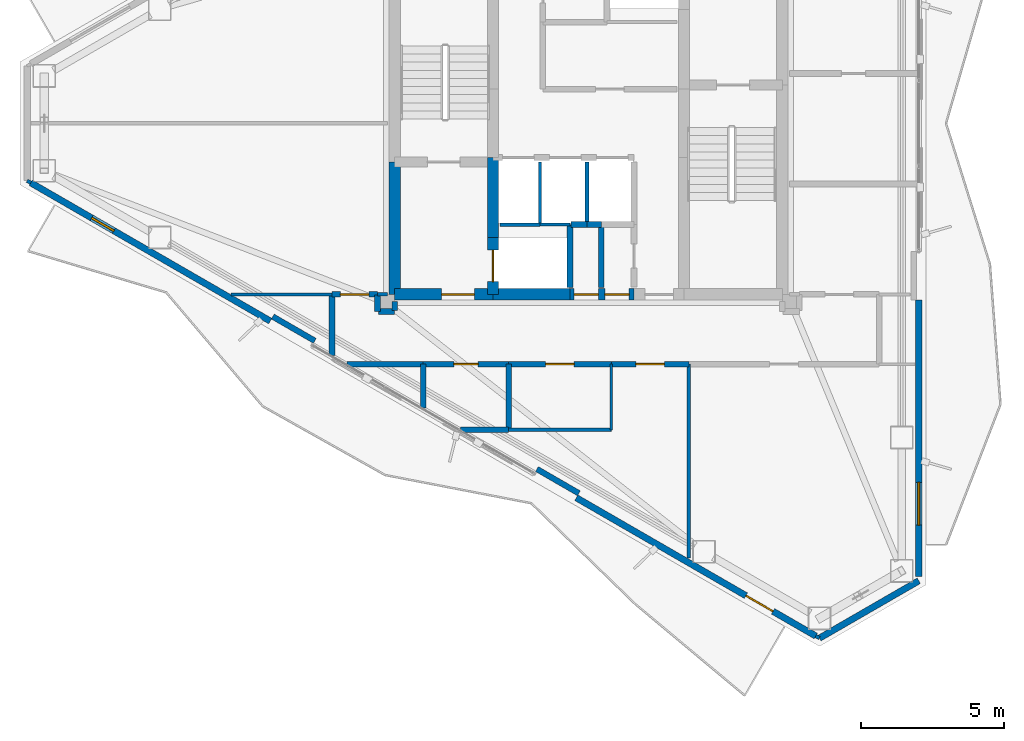
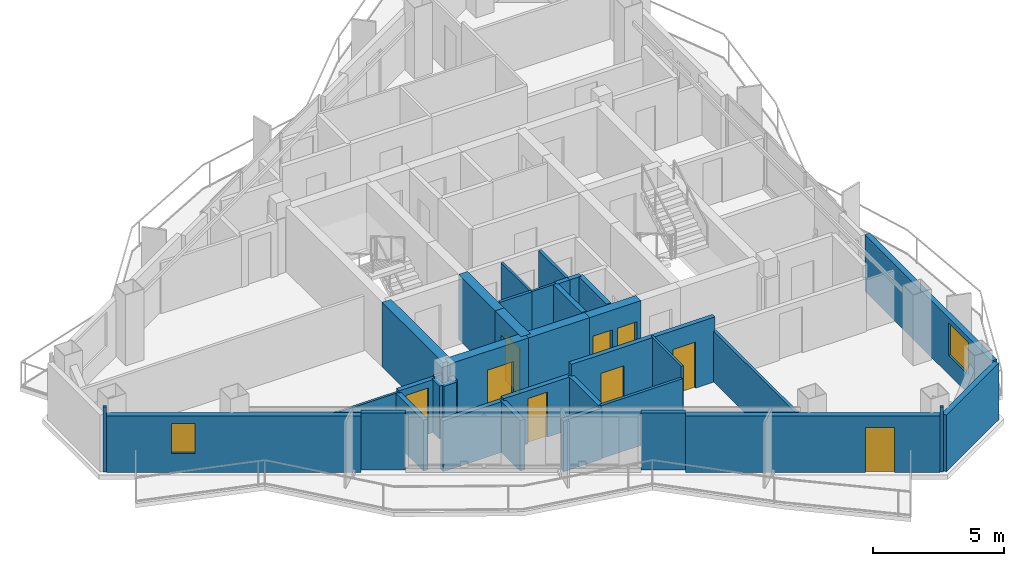
# One storey, part 16 of 21: 39 walls, 9 doors, 2 windows, 11 openings.
"""IFC4 building model written with IfcOpenShell, lengths in metres."""

from ifc_helpers import new_model, si_unit, direction, frame, frame_2d, origin, place, context, subcontext, project, spatial, rectangle, extrude, material, layer, layer_set, type_object, element, fill, save


model = new_model("IFC4")

# Units and contexts
model_context = context("Model", 3, precision=1e-05, world=origin(), true_north=direction((0.0, 1.0)))
body_context = subcontext(model_context, "Body", "Model", "MODEL_VIEW")
ifc_project = project(units=[si_unit("LENGTHUNIT", "METRE"), si_unit("AREAUNIT", "SQUARE_METRE"), si_unit("VOLUMEUNIT", "CUBIC_METRE"), si_unit("PLANEANGLEUNIT", "RADIAN"), si_unit("MASSUNIT", "GRAM", prefix="KILO")], contexts=[model_context])

# Site, building, storey
site_placement = place(None, origin())
site = spatial("IfcSite", under=ifc_project, at=site_placement, CompositionType="ELEMENT")
building_placement = place(site_placement, origin())
building = spatial("IfcBuilding", under=site, at=building_placement, Name="Mersakhor Tower and Convention Hall", CompositionType="ELEMENT")
storey_placement = place(building_placement, frame((0.0, 0.0, 215.10009765625)))
storey = spatial("IfcBuildingStorey", under=building, at=storey_placement, Name="L60", CompositionType="ELEMENT", Elevation=215.10009765625)

# Wall
ifc_material_1 = material(Name="Precast concrete C40/50", Category="concrete")
ifc_layer_1 = layer(ifc_material_1, 0.22509765625)
ifc_layer_set_1 = layer_set([ifc_layer_1], Name="Precast concrete C40/50")
wall_type_1 = type_object("IfcWallType", Name="WL-EXT-225", PredefinedType="SOLIDWALL", material=ifc_layer_set_1)
wall_1_placement = place(storey_placement, frame((40.58837890625, 10.70166015625, 0.0), z_axis=(0.0, 0.0, 1.0), x_axis=(-0.866023907196, -0.500002592159, 0.0)))
element("IfcWall", 1, at=wall_1_placement, inside=storey, type_object=wall_type_1, Name="L60 Chamfer Braced Spandrel Wall C2", PredefinedType="SOLIDWALL", context=body_context, shape_type="SweptSolid", body=[
    extrude(rectangle(XDim=4.0234375, YDim=0.22509765625, at=frame_2d((2.01171875, 0.0))), origin(), (0.0, 0.0, 1.0), 2.639892578125),
])

# Wall, opening, window
wall_2_placement = place(storey_placement, frame((40.58837890625, 20.550537109375, 0.0), z_axis=(0.0, 0.0, 1.0), x_axis=(0.0, -1.0, 0.0)))
wall_2 = element("IfcWall", 2, at=wall_2_placement, inside=storey, type_object=wall_type_1, Name="L60 Exterior Facade Wall F2-B3", PredefinedType="SOLIDWALL", context=body_context, shape_type="SweptSolid", body=[
    extrude(rectangle(XDim=9.698974609375, YDim=0.22509765625, at=frame_2d((4.849609375, 0.0))), origin(), (0.0, 0.0, 1.0), 2.639892578125),
])
opening_1_placement = place(wall_2_placement, frame((6.39501953125, 0.0, 0.89990234375)))
opening_1 = element("IfcOpeningElement", 3, at=opening_1_placement, cuts=wall_2, Name="Opening W-02", PredefinedType="OPENING", context=body_context, shape_type="SweptSolid", body=[
    extrude(rectangle(XDim=1.5, YDim=1.5, at=frame_2d((0.75, 0.75))), frame((0.0, 0.12255859375, 0.0), z_axis=(0.0, -1.0, 0.0), x_axis=(1.0, 0.0, 0.0)), (0.0, 0.0, 1.0), 0.2451171875),
])
ifc_material_2 = material(Name="Dark solar low-E glazed aluminium window", Category="aluminium")
window_type_1 = type_object("IfcWindowType", Name="WN-RES-150x150", PartitioningType="SINGLE_PANEL", PredefinedType="WINDOW", material=ifc_material_2)
window_1_placement = place(opening_1_placement, origin())
window_1 = element("IfcWindow", 4, at=window_1_placement, inside=storey, type_object=window_type_1, Name="L60 Facade Punched Window F2-B3", OverallHeight=1.5, OverallWidth=1.5, PartitioningType="SINGLE_PANEL", PredefinedType="WINDOW", context=body_context, shape_type="SweptSolid", body=[
    extrude(rectangle(XDim=1.5, YDim=1.5, at=frame_2d((0.75, 0.75))), frame((0.0, 0.030029296875, 0.0), z_axis=(0.0, -1.0, 0.0), x_axis=(1.0, 0.0, 0.0)), (0.0, 0.0, 1.0), 0.06005859375),
])
fill(opening_1, window_1)

# Wall, opening, door
wall_3_placement = place(storey_placement, frame((36.97412109375, 8.764892578125, 0.0), z_axis=(0.0, 0.0, 1.0), x_axis=(-0.866016233231, 0.500015883528, 0.0)))
wall_3 = element("IfcWall", 5, at=wall_3_placement, inside=storey, type_object=wall_type_1, Name="L60 Exterior Facade Wall F3-B1", PredefinedType="SOLIDWALL", context=body_context, shape_type="SweptSolid", body=[
    extrude(rectangle(XDim=9.698974609375, YDim=0.22509765625, at=frame_2d((4.849609375, 0.0))), origin(), (0.0, 0.0, 1.0), 2.639892578125),
])
opening_2_placement = place(wall_3_placement, frame((1.72998046875, 0.0, 0.0)))
opening_2 = element("IfcOpeningElement", 6, at=opening_2_placement, cuts=wall_3, Name="Opening BD-02", PredefinedType="OPENING", context=body_context, shape_type="SweptSolid", body=[
    extrude(rectangle(XDim=1.10009765625, YDim=2.10009765625, at=frame_2d((0.550048828125, 1.050048828125))), frame((0.0, 0.12255859375, 0.0), z_axis=(0.0, -1.0, 0.0), x_axis=(1.0, 0.0, 0.0)), (0.0, 0.0, 1.0), 0.2451171875),
])
ifc_material_3 = material(Name="Thermally broken dark aluminium and safety glass", Category="aluminium")
door_type_1 = type_object("IfcDoorType", Name="DR-BAL-110x210", OperationType="NOTDEFINED", PredefinedType="DOOR", material=ifc_material_3)
door_1_placement = place(opening_2_placement, origin())
door_1 = element("IfcDoor", 7, at=door_1_placement, inside=storey, type_object=door_type_1, Name="L60 Balcony Terrace Door F3-B1", OperationType="SINGLE_SWING_RIGHT", OverallHeight=2.10009765625, OverallWidth=1.10009765625, PredefinedType="DOOR", context=body_context, shape_type="SweptSolid", body=[
    extrude(rectangle(XDim=1.10009765625, YDim=2.10009765625, at=frame_2d((0.550048828125, 1.050048828125))), frame((0.0, 0.02490234375, 0.0), z_axis=(0.0, -1.0, 0.0), x_axis=(1.0, 0.0, 0.0)), (0.0, 0.0, 1.0), 0.050048828125),
])
fill(opening_2, door_1)

# Wall, opening, window
wall_4_placement = place(storey_placement, frame((17.8369140625, 19.81396484375, 0.0), z_axis=(0.0, 0.0, 1.0), x_axis=(-0.866027133173, 0.499997004599, 0.0)))
wall_4 = element("IfcWall", 8, at=wall_4_placement, inside=storey, type_object=wall_type_1, Name="L60 Exterior Facade Wall F3-B3", PredefinedType="SOLIDWALL", context=body_context, shape_type="SweptSolid", body=[
    extrude(rectangle(XDim=9.69873046875, YDim=0.22509765625, at=frame_2d((4.849365234375, 0.0))), origin(), (0.0, 0.0, 1.0), 2.639892578125),
])
opening_3_placement = place(wall_4_placement, frame((6.3349609375, 0.0, 0.89990234375)))
opening_3 = element("IfcOpeningElement", 9, at=opening_3_placement, cuts=wall_4, Name="Opening W-06", PredefinedType="OPENING", context=body_context, shape_type="SweptSolid", body=[
    extrude(rectangle(XDim=0.89990234375, YDim=1.39990234375, at=frame_2d((0.449951171875, 0.699951171875))), frame((0.0, 0.12255859375, 0.0), z_axis=(0.0, -1.0, 0.0), x_axis=(1.0, 0.0, 0.0)), (0.0, 0.0, 1.0), 0.2451171875),
])
ifc_material_4 = material(Name="Dark solar low-E glazed aluminium window", Category="aluminium")
window_type_2 = type_object("IfcWindowType", Name="WN-STD-090x140", PartitioningType="SINGLE_PANEL", PredefinedType="WINDOW", material=ifc_material_4)
window_2_placement = place(opening_3_placement, origin())
window_2 = element("IfcWindow", 10, at=window_2_placement, inside=storey, type_object=window_type_2, Name="L60 Facade Punched Window F3-B3", OverallHeight=1.39990234375, OverallWidth=0.89990234375, PartitioningType="SINGLE_PANEL", PredefinedType="WINDOW", context=body_context, shape_type="SweptSolid", body=[
    extrude(rectangle(XDim=0.89990234375, YDim=1.39990234375, at=frame_2d((0.449951171875, 0.699951171875))), frame((0.0, 0.030029296875, 0.0), z_axis=(0.0, -1.0, 0.0), x_axis=(1.0, 0.0, 0.0)), (0.0, 0.0, 1.0), 0.06005859375),
])
fill(opening_3, window_2)

# Walls
ifc_material_5 = material(Name="Precast concrete C40/50", Category="concrete")
ifc_layer_2 = layer(ifc_material_5, 0.199951171875)
ifc_layer_set_2 = layer_set([ifc_layer_2], Name="Precast concrete C40/50")
wall_type_2 = type_object("IfcWallType", Name="WL-PAR-200", PredefinedType="PARAPET", material=ifc_layer_set_2)
wall_5_placement = place(storey_placement, frame((28.664794921875, 13.770263671875, 0.0), z_axis=(0.0, 0.0, 1.0), x_axis=(-0.866025371046, 0.500000056704, 0.0)))
element("IfcWall", 11, at=wall_5_placement, inside=storey, type_object=wall_type_2, Name="L60 Column Pier Cladding Wall F3-C1", PredefinedType="PARAPET", context=body_context, shape_type="SweptSolid", body=[
    extrude(rectangle(XDim=1.7001953125, YDim=0.199951171875, at=frame_2d((0.85009765625, 0.0))), origin(), (0.0, 0.0, 1.0), 2.639892578125),
])
wall_6_placement = place(storey_placement, frame((19.399169921875, 19.119873046875, 0.0), z_axis=(0.0, 0.0, 1.0), x_axis=(-0.86605165483, 0.499954529098, 0.0)))
element("IfcWall", 12, at=wall_6_placement, inside=storey, type_object=wall_type_2, Name="L60 Column Pier Cladding Wall F3-C2", PredefinedType="PARAPET", context=body_context, shape_type="SweptSolid", body=[
    extrude(rectangle(XDim=1.699951171875, YDim=0.199951171875, at=frame_2d((0.85009765625, 0.0))), origin(), (0.0, 0.0, 1.0), 2.639892578125),
])
ifc_material_6 = material(Name="Lightweight gypsum partition", Category="other")
ifc_layer_3 = layer(ifc_material_6, 0.10009765625)
ifc_layer_set_3 = layer_set([ifc_layer_3], Name="Lightweight gypsum partition")
wall_type_3 = type_object("IfcWallType", Name="WL-PRT-100", PredefinedType="PARTITIONING", material=ifc_layer_set_3)
wall_7_placement = place(storey_placement, frame((27.300048828125, 23.199951171875, 0.0), z_axis=(0.0, 0.0, 1.0), x_axis=(1.0, 0.0, 0.0)))
element("IfcWall", 13, at=wall_7_placement, inside=storey, type_object=wall_type_3, Name="L60 Interior Partition Wall P-002", PredefinedType="PARTITIONING", context=body_context, shape_type="SweptSolid", body=[
    extrude(rectangle(XDim=1.050048828125, YDim=0.10009765625, at=frame_2d((0.52490234375, 0.0))), origin(), (0.0, 0.0, 1.0), 3.02001953125),
])
wall_8_placement = place(storey_placement, frame((27.300048828125, 25.39990234375, 0.0), z_axis=(0.0, 0.0, 1.0), x_axis=(0.0, -1.0, 0.0)))
element("IfcWall", 14, at=wall_8_placement, inside=storey, type_object=wall_type_3, Name="L60 Interior Partition Wall P-006", PredefinedType="PARTITIONING", context=body_context, shape_type="SweptSolid", body=[
    extrude(rectangle(XDim=2.199951171875, YDim=0.10009765625, at=frame_2d((1.10009765625, 0.0))), origin(), (0.0, 0.0, 1.0), 3.02001953125),
])
wall_9_placement = place(storey_placement, frame((20.0, 20.75, 0.0), z_axis=(0.0, 0.0, 1.0), x_axis=(-1.0, 0.0, 0.0)))
element("IfcWall", 15, at=wall_9_placement, inside=storey, type_object=wall_type_3, Name="L60 Interior Partition Wall P-056", PredefinedType="PARTITIONING", context=body_context, shape_type="SweptSolid", body=[
    extrude(rectangle(XDim=3.536376953125, YDim=0.10009765625, at=frame_2d((1.76806640625, 0.0))), origin(), (0.0, 0.0, 1.0), 2.364990234375),
])
wall_10_placement = place(storey_placement, frame((29.800048828125, 18.300048828125, 0.0), z_axis=(0.0, 0.0, 1.0), x_axis=(0.0, -1.0, 0.0)))
element("IfcWall", 16, at=wall_10_placement, inside=storey, type_object=wall_type_3, Name="L60 Interior Partition Wall P-076", PredefinedType="PARTITIONING", context=body_context, shape_type="SweptSolid", body=[
    extrude(rectangle(XDim=2.300048828125, YDim=0.10009765625, at=frame_2d((1.14990234375, 0.0))), origin(), (0.0, 0.0, 1.0), 3.02001953125),
])
ifc_material_7 = material(Name="Gypsum board acoustic partition", Category="other")
ifc_layer_4 = layer(ifc_material_7, 0.125)
ifc_layer_set_4 = layer_set([ifc_layer_4], Name="Gypsum board acoustic partition")
wall_type_4 = type_object("IfcWallType", Name="WL-PRT-125", PredefinedType="PARTITIONING", material=ifc_layer_set_4)
wall_11_placement = place(storey_placement, frame((25.89990234375, 23.199951171875, 0.0), z_axis=(0.0, 0.0, 1.0), x_axis=(1.0, 0.0, 0.0)))
element("IfcWall", 17, at=wall_11_placement, inside=storey, type_object=wall_type_4, Name="L60 Interior Partition Wall P-001", PredefinedType="PARTITIONING", context=body_context, shape_type="SweptSolid", body=[
    extrude(rectangle(XDim=1.400146484375, YDim=0.125, at=frame_2d((0.7001953125, 0.0))), origin(), (0.0, 0.0, 1.0), 3.02001953125),
])
wall_12_placement = place(storey_placement, frame((28.949951171875, 25.39990234375, 0.0), z_axis=(0.0, 0.0, 1.0), x_axis=(0.0, -1.0, 0.0)))
element("IfcWall", 18, at=wall_12_placement, inside=storey, type_object=wall_type_4, Name="L60 Interior Partition Wall P-007", PredefinedType="PARTITIONING", context=body_context, shape_type="SweptSolid", body=[
    extrude(rectangle(XDim=2.199951171875, YDim=0.125, at=frame_2d((1.10009765625, 0.0))), origin(), (0.0, 0.0, 1.0), 3.02001953125),
])
wall_13_placement = place(storey_placement, frame((21.949951171875, 20.75, 0.0), z_axis=(0.0, 0.0, 1.0), x_axis=(-1.0, 0.0, 0.0)))
element("IfcWall", 19, at=wall_13_placement, inside=storey, type_object=wall_type_4, Name="L60 Interior Partition Wall P-055", PredefinedType="PARTITIONING", context=body_context, shape_type="SweptSolid", body=[
    extrude(rectangle(XDim=0.349853515625, YDim=0.125, at=frame_2d((0.1748046875, 0.0))), origin(), (0.0, 0.0, 1.0), 2.544921875),
])
wall_14_placement = place(storey_placement, frame((9.43701171875, 24.662841796875, 0.0), z_axis=(0.0, 0.0, 1.0), x_axis=(-0.865833797362, 0.500331725305, 0.0)))
element("IfcWall", 20, at=wall_14_placement, inside=storey, type_object=wall_type_4, Name="L60 Interior Partition Wall P-057", PredefinedType="PARTITIONING", context=body_context, shape_type="SweptSolid", body=[
    extrude(rectangle(XDim=0.150390625, YDim=0.125, at=frame_2d((0.0751953125, 0.0))), origin(), (0.0, 0.0, 1.0), 3.02001953125),
])
wall_15_placement = place(storey_placement, frame((29.800048828125, 16.0, 0.0), z_axis=(0.0, 0.0, 1.0), x_axis=(-1.0, 0.0, 0.0)))
element("IfcWall", 21, at=wall_15_placement, inside=storey, type_object=wall_type_4, Name="L60 Interior Partition Wall P-075", PredefinedType="PARTITIONING", context=body_context, shape_type="SweptSolid", body=[
    extrude(rectangle(XDim=3.60009765625, YDim=0.125, at=frame_2d((1.800048828125, 0.0))), origin(), (0.0, 0.0, 1.0), 2.46826171875),
])
wall_16_placement = place(storey_placement, frame((32.52001953125, 18.300048828125, 0.0), z_axis=(0.0, 0.0, 1.0), x_axis=(0.0, -1.0, 0.0)))
element("IfcWall", 22, at=wall_16_placement, inside=storey, type_object=wall_type_4, Name="L60 Interior Partition Wall P-077", PredefinedType="PARTITIONING", context=body_context, shape_type="SweptSolid", body=[
    extrude(rectangle(XDim=6.805908203125, YDim=0.125, at=frame_2d((3.40283203125, 0.0))), origin(), (0.0, 0.0, 1.0), 2.364990234375),
])
wall_17_placement = place(storey_placement, frame((37.10400390625, 8.68994140625, 0.0), z_axis=(0.0, 0.0, 1.0), x_axis=(-0.866131372301, 0.499816412211, 0.0)))
element("IfcWall", 23, at=wall_17_placement, inside=storey, type_object=wall_type_4, Name="L60 Interior Partition Wall P-079", PredefinedType="PARTITIONING", context=body_context, shape_type="SweptSolid", body=[
    extrude(rectangle(XDim=0.14990234375, YDim=0.125, at=frame_2d((0.074951171875, 0.0))), origin(), (0.0, 0.0, 1.0), 3.02001953125),
])
ifc_material_8 = material(Name="Acoustic concrete blockwork and gypsum board", Category="masonry")
ifc_layer_5 = layer(ifc_material_8, 0.199951171875)
ifc_layer_set_5 = layer_set([ifc_layer_5], Name="Acoustic concrete blockwork and gypsum board")
wall_type_5 = type_object("IfcWallType", Name="WL-PRT-200", PredefinedType="PARTITIONING", material=ifc_layer_set_5)
wall_18_placement = place(storey_placement, frame((28.35009765625, 23.199951171875, 0.0), z_axis=(0.0, 0.0, 1.0), x_axis=(0.0, -1.0, 0.0)))
element("IfcWall", 24, at=wall_18_placement, inside=storey, type_object=wall_type_5, Name="L60 Interior Partition Wall P-003", PredefinedType="PARTITIONING", context=body_context, shape_type="SweptSolid", body=[
    extrude(rectangle(XDim=2.199951171875, YDim=0.199951171875, at=frame_2d((1.10009765625, 0.0))), origin(), (0.0, 0.0, 1.0), 3.02001953125),
])
wall_19_placement = place(storey_placement, frame((28.949951171875, 23.199951171875, 0.0), z_axis=(0.0, 0.0, 1.0), x_axis=(-1.0, 0.0, 0.0)))
element("IfcWall", 25, at=wall_19_placement, inside=storey, type_object=wall_type_5, Name="L60 Interior Partition Wall P-008", PredefinedType="PARTITIONING", context=body_context, shape_type="SweptSolid", body=[
    extrude(rectangle(XDim=0.570068359375, YDim=0.199951171875, at=frame_2d((0.28515625, 0.0))), origin(), (0.0, 0.0, 1.0), 3.02001953125),
])
wall_20_placement = place(storey_placement, frame((29.449951171875, 23.199951171875, 0.0), z_axis=(0.0, 0.0, 1.0), x_axis=(-1.0, 0.0, 0.0)))
element("IfcWall", 26, at=wall_20_placement, inside=storey, type_object=wall_type_5, Name="L60 Interior Partition Wall P-011", PredefinedType="PARTITIONING", context=body_context, shape_type="SweptSolid", body=[
    extrude(rectangle(XDim=0.5, YDim=0.199951171875, at=frame_2d((0.25, 0.0))), origin(), (0.0, 0.0, 1.0), 3.02001953125),
])

# Wall, opening, door
wall_21_placement = place(storey_placement, frame((20.0, 20.75, 0.0), z_axis=(0.0, 0.0, 1.0), x_axis=(1.0, 0.0, 0.0)))
wall_21 = element("IfcWall", 27, at=wall_21_placement, inside=storey, type_object=wall_type_5, Name="L60 Interior Partition Wall P-031", PredefinedType="PARTITIONING", context=body_context, shape_type="SweptSolid", body=[
    extrude(rectangle(XDim=1.60009765625, YDim=0.199951171875, at=frame_2d((0.800048828125, 0.0))), origin(), (0.0, 0.0, 1.0), 2.46826171875),
])
opening_4_placement = place(wall_21_placement, frame((0.300048828125, 0.0, 0.0)))
opening_4 = element("IfcOpeningElement", 28, at=opening_4_placement, cuts=wall_21, Name="Opening FD-01", PredefinedType="OPENING", context=body_context, shape_type="SweptSolid", body=[
    extrude(rectangle(XDim=1.0, YDim=2.14990234375, at=frame_2d((0.5, 1.074951171875))), frame((0.0, 0.10986328125, 0.0), z_axis=(0.0, -1.0, 0.0), x_axis=(1.0, 0.0, 0.0)), (0.0, 0.0, 1.0), 0.219970703125),
])
ifc_material_9 = material(Name="Fire-rated hardwood leaf and painted steel frame", Category="steel")
door_type_2 = type_object("IfcDoorType", Name="DR-INT-FLT-100x215", OperationType="NOTDEFINED", PredefinedType="DOOR", material=ifc_material_9)
door_2_placement = place(opening_4_placement, origin())
door_2 = element("IfcDoor", 29, at=door_2_placement, inside=storey, type_object=door_type_2, Name="L60 Residential South Gallery Corridor to L60 West Wing Quiet Focus Room Door", OperationType="SINGLE_SWING_LEFT", OverallHeight=2.14990234375, OverallWidth=1.0, PredefinedType="DOOR", context=body_context, shape_type="SweptSolid", body=[
    extrude(rectangle(XDim=1.0, YDim=2.14990234375, at=frame_2d((0.5, 1.074951171875))), frame((0.0, 0.02490234375, 0.0), z_axis=(0.0, -1.0, 0.0), x_axis=(1.0, 0.0, 0.0)), (0.0, 0.0, 1.0), 0.050048828125),
])
fill(opening_4, door_2)

# Walls
for number, where, z_axis, x_axis, name in (
    (30, (21.60009765625, 20.719970703125, 0.0), (0.0, 0.0, 1.0), (0.0, -1.0, 0.0), "L60 Interior Partition Wall P-032"),
    (31, (21.6298828125, 20.14990234375, 0.0), (0.0, 0.0, 1.0), (1.0, 0.0, 0.0), "L60 Interior Partition Wall P-033"),
):
    element("IfcWall", number, at=place(storey_placement, frame(where, z_axis=z_axis, x_axis=x_axis)), inside=storey, type_object=wall_type_5, Name=name, PredefinedType="PARTITIONING", context=body_context, shape_type="SweptSolid", body=[
        extrude(rectangle(XDim=0.570068359375, YDim=0.199951171875, at=frame_2d((0.28515625, 0.0))), origin(), (0.0, 0.0, 1.0), 2.46826171875),
    ])
wall_22_placement = place(storey_placement, frame((22.199951171875, 20.179931640625, 0.0), z_axis=(0.0, 0.0, 1.0), x_axis=(0.0, 1.0, 0.0)))
element("IfcWall", 32, at=wall_22_placement, inside=storey, type_object=wall_type_5, Name="L60 Interior Partition Wall P-034", PredefinedType="PARTITIONING", context=body_context, shape_type="SweptSolid", body=[
    extrude(rectangle(XDim=0.320068359375, YDim=0.199951171875, at=frame_2d((0.16015625, 0.0))), origin(), (0.0, 0.0, 1.0), 2.46826171875),
])

# Wall, opening, door
wall_23_placement = place(storey_placement, frame((32.52001953125, 18.300048828125, 0.0), z_axis=(0.0, 0.0, 1.0), x_axis=(-1.0, 0.0, 0.0)))
wall_23 = element("IfcWall", 33, at=wall_23_placement, inside=storey, type_object=wall_type_5, Name="L60 Interior Partition Wall P-041", PredefinedType="PARTITIONING", context=body_context, shape_type="SweptSolid", body=[
    extrude(rectangle(XDim=2.719970703125, YDim=0.199951171875, at=frame_2d((1.35986328125, 0.0))), origin(), (0.0, 0.0, 1.0), 3.02001953125),
])
opening_5_placement = place(wall_23_placement, frame((0.860107421875, 0.0, 0.0)))
opening_5 = element("IfcOpeningElement", 34, at=opening_5_placement, cuts=wall_23, Name="Opening FD-01", PredefinedType="OPENING", context=body_context, shape_type="SweptSolid", body=[
    extrude(rectangle(XDim=1.0, YDim=2.14990234375, at=frame_2d((0.5, 1.074951171875))), frame((0.0, 0.10986328125, 0.0), z_axis=(0.0, -1.0, 0.0), x_axis=(1.0, 0.0, 0.0)), (0.0, 0.0, 1.0), 0.219970703125),
])
door_3_placement = place(opening_5_placement, origin())
door_3 = element("IfcDoor", 35, at=door_3_placement, inside=storey, type_object=door_type_2, Name="L60 Residential South Gallery Corridor to L60 Floor Residents Study Room 2-3 Door", OperationType="SINGLE_SWING_LEFT", OverallHeight=2.14990234375, OverallWidth=1.0, PredefinedType="DOOR", context=body_context, shape_type="SweptSolid", body=[
    extrude(rectangle(XDim=1.0, YDim=2.14990234375, at=frame_2d((0.5, 1.074951171875))), frame((0.0, 0.02490234375, 0.0), z_axis=(0.0, -1.0, 0.0), x_axis=(1.0, 0.0, 0.0)), (0.0, 0.0, 1.0), 0.050048828125),
])
fill(opening_5, door_3)

wall_24_placement = place(storey_placement, frame((29.800048828125, 18.300048828125, 0.0), z_axis=(0.0, 0.0, 1.0), x_axis=(-1.0, 0.0, 0.0)))
wall_24 = element("IfcWall", 36, at=wall_24_placement, inside=storey, type_object=wall_type_5, Name="L60 Interior Partition Wall P-042", PredefinedType="PARTITIONING", context=body_context, shape_type="SweptSolid", body=[
    extrude(rectangle(XDim=3.60009765625, YDim=0.199951171875, at=frame_2d((1.800048828125, 0.0))), origin(), (0.0, 0.0, 1.0), 3.02001953125),
])
opening_6_placement = place(wall_24_placement, frame((1.300048828125, 0.0, 0.0)))
opening_6 = element("IfcOpeningElement", 37, at=opening_6_placement, cuts=wall_24, Name="Opening FD-01", PredefinedType="OPENING", context=body_context, shape_type="SweptSolid", body=[
    extrude(rectangle(XDim=1.0, YDim=2.14990234375, at=frame_2d((0.5, 1.074951171875))), frame((0.0, 0.10986328125, 0.0), z_axis=(0.0, -1.0, 0.0), x_axis=(1.0, 0.0, 0.0)), (0.0, 0.0, 1.0), 0.219970703125),
])
door_4_placement = place(opening_6_placement, origin())
door_4 = element("IfcDoor", 38, at=door_4_placement, inside=storey, type_object=door_type_2, Name="L60 Residential South Gallery Corridor to L60 Floor Shared Tea Pantry 2-2 Door", OperationType="SINGLE_SWING_RIGHT", OverallHeight=2.14990234375, OverallWidth=1.0, PredefinedType="DOOR", context=body_context, shape_type="SweptSolid", body=[
    extrude(rectangle(XDim=1.0, YDim=2.14990234375, at=frame_2d((0.5, 1.074951171875))), frame((0.0, 0.02490234375, 0.0), z_axis=(0.0, -1.0, 0.0), x_axis=(1.0, 0.0, 0.0)), (0.0, 0.0, 1.0), 0.050048828125),
])
fill(opening_6, door_4)

wall_25_placement = place(storey_placement, frame((26.199951171875, 18.300048828125, 0.0), z_axis=(0.0, 0.0, 1.0), x_axis=(-1.0, 0.0, 0.0)))
wall_25 = element("IfcWall", 39, at=wall_25_placement, inside=storey, type_object=wall_type_5, Name="L60 Interior Partition Wall P-043", PredefinedType="PARTITIONING", context=body_context, shape_type="SweptSolid", body=[
    extrude(rectangle(XDim=3.0, YDim=0.199951171875, at=frame_2d((1.5, 0.0))), origin(), (0.0, 0.0, 1.0), 2.46826171875),
])
opening_7_placement = place(wall_25_placement, frame((1.074951171875, 0.0, 0.0)))
opening_7 = element("IfcOpeningElement", 40, at=opening_7_placement, cuts=wall_25, Name="Opening SVD-01", PredefinedType="OPENING", context=body_context, shape_type="SweptSolid", body=[
    extrude(rectangle(XDim=0.85009765625, YDim=2.10009765625, at=frame_2d((0.425048828125, 1.050048828125))), frame((0.0, 0.10986328125, 0.0), z_axis=(0.0, -1.0, 0.0), x_axis=(1.0, 0.0, 0.0)), (0.0, 0.0, 1.0), 0.219970703125),
])
ifc_material_10 = material(Name="Fire-rated hardwood leaf and painted steel frame", Category="steel")
door_type_3 = type_object("IfcDoorType", Name="DR-INT-SVC-085x210", OperationType="NOTDEFINED", PredefinedType="DOOR", material=ifc_material_10)
door_5_placement = place(opening_7_placement, origin())
door_5 = element("IfcDoor", 41, at=door_5_placement, inside=storey, type_object=door_type_3, Name="L60 Residential South Gallery Corridor to L60 Floor Household Store Room 2-1 Door", OperationType="SINGLE_SWING_LEFT", OverallHeight=2.10009765625, OverallWidth=0.85009765625, PredefinedType="DOOR", context=body_context, shape_type="SweptSolid", body=[
    extrude(rectangle(XDim=0.85009765625, YDim=2.10009765625, at=frame_2d((0.425048828125, 1.050048828125))), frame((0.0, 0.02490234375, 0.0), z_axis=(0.0, -1.0, 0.0), x_axis=(1.0, 0.0, 0.0)), (0.0, 0.0, 1.0), 0.050048828125),
])
fill(opening_7, door_5)

# Walls
wall_26_placement = place(storey_placement, frame((23.199951171875, 18.300048828125, 0.0), z_axis=(0.0, 0.0, 1.0), x_axis=(-1.0, 0.0, 0.0)))
element("IfcWall", 42, at=wall_26_placement, inside=storey, type_object=wall_type_5, Name="L60 Interior Partition Wall P-044", PredefinedType="PARTITIONING", context=body_context, shape_type="SweptSolid", body=[
    extrude(rectangle(XDim=2.671630859375, YDim=0.199951171875, at=frame_2d((1.3359375, 0.0))), origin(), (0.0, 0.0, 1.0), 2.364990234375),
])
wall_27_placement = place(storey_placement, frame((20.0, 18.60888671875, 0.0), z_axis=(0.0, 0.0, 1.0), x_axis=(0.0, 1.0, 0.0)))
element("IfcWall", 43, at=wall_27_placement, inside=storey, type_object=wall_type_5, Name="L60 Interior Partition Wall P-045", PredefinedType="PARTITIONING", context=body_context, shape_type="SweptSolid", body=[
    extrude(rectangle(XDim=2.14111328125, YDim=0.199951171875, at=frame_2d((1.070556640625, 0.0))), origin(), (0.0, 0.0, 1.0), 2.364990234375),
])
wall_28_placement = place(storey_placement, frame((29.449951171875, 23.199951171875, 0.0), z_axis=(0.0, 0.0, 1.0), x_axis=(0.0, -1.0, 0.0)))
element("IfcWall", 44, at=wall_28_placement, inside=storey, type_object=wall_type_5, Name="L60 Interior Partition Wall P-050", PredefinedType="PARTITIONING", context=body_context, shape_type="SweptSolid", body=[
    extrude(rectangle(XDim=2.199951171875, YDim=0.199951171875, at=frame_2d((1.10009765625, 0.0))), origin(), (0.0, 0.0, 1.0), 3.02001953125),
])
wall_29_placement = place(storey_placement, frame((26.199951171875, 18.300048828125, 0.0), z_axis=(0.0, 0.0, 1.0), x_axis=(0.0, -1.0, 0.0)))
element("IfcWall", 45, at=wall_29_placement, inside=storey, type_object=wall_type_5, Name="L60 Interior Partition Wall P-072", PredefinedType="PARTITIONING", context=body_context, shape_type="SweptSolid", body=[
    extrude(rectangle(XDim=2.300048828125, YDim=0.199951171875, at=frame_2d((1.14990234375, 0.0))), origin(), (0.0, 0.0, 1.0), 2.46826171875),
])
wall_30_placement = place(storey_placement, frame((26.199951171875, 16.0, 0.0), z_axis=(0.0, 0.0, 1.0), x_axis=(-1.0, 0.0, 0.0)))
element("IfcWall", 46, at=wall_30_placement, inside=storey, type_object=wall_type_5, Name="L60 Interior Partition Wall P-073", PredefinedType="PARTITIONING", context=body_context, shape_type="SweptSolid", body=[
    extrude(rectangle(XDim=1.688232421875, YDim=0.199951171875, at=frame_2d((0.84423828125, 0.0))), origin(), (0.0, 0.0, 1.0), 2.364990234375),
])
wall_31_placement = place(storey_placement, frame((23.199951171875, 16.761474609375, 0.0), z_axis=(0.0, 0.0, 1.0), x_axis=(0.0, 1.0, 0.0)))
element("IfcWall", 47, at=wall_31_placement, inside=storey, type_object=wall_type_5, Name="L60 Interior Partition Wall P-074", PredefinedType="PARTITIONING", context=body_context, shape_type="SweptSolid", body=[
    extrude(rectangle(XDim=1.53857421875, YDim=0.199951171875, at=frame_2d((0.769287109375, 0.0))), origin(), (0.0, 0.0, 1.0), 2.364990234375),
])
ifc_material_11 = material(Name="Concrete C60/75", Category="concrete")
ifc_layer_6 = layer(ifc_material_11, 0.39990234375)
ifc_layer_set_6 = layer_set([ifc_layer_6], Name="Concrete C60/75")
wall_type_6 = type_object("IfcWallType", Name="WL-SHR-400", PredefinedType="SHEAR", material=ifc_layer_set_6)
wall_32_placement = place(storey_placement, frame((22.199951171875, 20.75, 0.0), z_axis=(0.0, 0.0, 1.0), x_axis=(0.0, 1.0, 0.0)))
element("IfcWall", 48, at=wall_32_placement, inside=storey, type_object=wall_type_6, Name="L60 Core Wall CW-W1", PredefinedType="SHEAR", context=body_context, shape_type="SweptSolid", body=[
    extrude(rectangle(XDim=4.64990234375, YDim=0.39990234375, at=frame_2d((2.324951171875, 0.0))), origin(), (0.0, 0.0, 1.0), 3.02001953125),
])

# Wall, openings, doors
wall_33_placement = place(storey_placement, frame((30.60009765625, 20.75, 0.0), z_axis=(0.0, 0.0, 1.0), x_axis=(-1.0, 0.0, 0.0)))
wall_33 = element("IfcWall", 49, at=wall_33_placement, inside=storey, type_object=wall_type_6, Name="L60 Core Wall CW-S2B", PredefinedType="SHEAR", context=body_context, shape_type="SweptSolid", body=[
    extrude(rectangle(XDim=2.25, YDim=0.39990234375, at=frame_2d((1.125, 0.0))), origin(), (0.0, 0.0, 1.0), 3.02001953125),
])
opening_8_placement = place(wall_33_placement, frame((1.2548828125, 0.0, 0.0)))
opening_8 = element("IfcOpeningElement", 50, at=opening_8_placement, cuts=wall_33, Name="Opening SVD-01", PredefinedType="OPENING", context=body_context, shape_type="SweptSolid", body=[
    extrude(rectangle(XDim=0.85009765625, YDim=2.10009765625, at=frame_2d((0.425048828125, 1.050048828125))), frame((0.0, 0.2099609375, 0.0), z_axis=(0.0, -1.0, 0.0), x_axis=(1.0, 0.0, 0.0)), (0.0, 0.0, 1.0), 0.419921875),
])
opening_9_placement = place(wall_33_placement, frame((0.169921875, 0.0, 0.0)))
opening_9 = element("IfcOpeningElement", 51, at=opening_9_placement, cuts=wall_33, Name="Opening SVD-01", PredefinedType="OPENING", context=body_context, shape_type="SweptSolid", body=[
    extrude(rectangle(XDim=0.85009765625, YDim=2.10009765625, at=frame_2d((0.425048828125, 1.050048828125))), frame((0.0, 0.2099609375, 0.0), z_axis=(0.0, -1.0, 0.0), x_axis=(1.0, 0.0, 0.0)), (0.0, 0.0, 1.0), 0.419921875),
])
door_6_placement = place(opening_8_placement, origin())
door_6 = element("IfcDoor", 52, at=door_6_placement, inside=storey, type_object=door_type_3, Name="L60 Residential South Gallery Corridor to Sub-Metering Switch Room Door", OperationType="SINGLE_SWING_LEFT", OverallHeight=2.10009765625, OverallWidth=0.85009765625, PredefinedType="DOOR", context=body_context, shape_type="SweptSolid", body=[
    extrude(rectangle(XDim=0.85009765625, YDim=2.10009765625, at=frame_2d((0.425048828125, 1.050048828125))), frame((0.0, 0.02490234375, 0.0), z_axis=(0.0, -1.0, 0.0), x_axis=(1.0, 0.0, 0.0)), (0.0, 0.0, 1.0), 0.050048828125),
])
fill(opening_8, door_6)
door_7_placement = place(opening_9_placement, origin())
door_7 = element("IfcDoor", 53, at=door_7_placement, inside=storey, type_object=door_type_3, Name="L60 Residential South Gallery Corridor to Core Maintenance Store Room Door", OperationType="SINGLE_SWING_RIGHT", OverallHeight=2.10009765625, OverallWidth=0.85009765625, PredefinedType="DOOR", context=body_context, shape_type="SweptSolid", body=[
    extrude(rectangle(XDim=0.85009765625, YDim=2.10009765625, at=frame_2d((0.425048828125, 1.050048828125))), frame((0.0, 0.02490234375, 0.0), z_axis=(0.0, -1.0, 0.0), x_axis=(1.0, 0.0, 0.0)), (0.0, 0.0, 1.0), 0.050048828125),
])
fill(opening_9, door_7)

# Wall
wall_34_placement = place(storey_placement, frame((28.35009765625, 20.75, 0.0), z_axis=(0.0, 0.0, 1.0), x_axis=(-1.0, 0.0, 0.0)))
element("IfcWall", 54, at=wall_34_placement, inside=storey, type_object=wall_type_6, Name="L60 Core Wall CW-S3", PredefinedType="SHEAR", context=body_context, shape_type="SweptSolid", body=[
    extrude(rectangle(XDim=2.7001953125, YDim=0.39990234375, at=frame_2d((1.35009765625, 0.0))), origin(), (0.0, 0.0, 1.0), 3.02001953125),
])

# Wall, opening, door
wall_35_placement = place(storey_placement, frame((25.64990234375, 20.75, 0.0), z_axis=(0.0, 0.0, 1.0), x_axis=(-1.0, 0.0, 0.0)))
wall_35 = element("IfcWall", 55, at=wall_35_placement, inside=storey, type_object=wall_type_6, Name="L60 Core Wall CW-S4", PredefinedType="SHEAR", context=body_context, shape_type="SweptSolid", body=[
    extrude(rectangle(XDim=3.449951171875, YDim=0.39990234375, at=frame_2d((1.72509765625, 0.0))), origin(), (0.0, 0.0, 1.0), 3.02001953125),
])
opening_10_placement = place(wall_35_placement, frame((0.64990234375, 0.0, 0.0)))
opening_10 = element("IfcOpeningElement", 56, at=opening_10_placement, cuts=wall_35, Name="Opening SD-01", PredefinedType="OPENING", context=body_context, shape_type="SweptSolid", body=[
    extrude(rectangle(XDim=1.14990234375, YDim=2.14990234375, at=frame_2d((0.574951171875, 1.074951171875))), frame((0.0, 0.2099609375, 0.0), z_axis=(0.0, -1.0, 0.0), x_axis=(1.0, 0.0, 0.0)), (0.0, 0.0, 1.0), 0.419921875),
])
ifc_material_12 = material(Name="Fire-rated hardwood leaf and painted steel frame", Category="steel")
door_type_4 = type_object("IfcDoorType", Name="DR-INT-STAIR-115x215", OperationType="NOTDEFINED", PredefinedType="DOOR", material=ifc_material_12)
door_8_placement = place(opening_10_placement, origin())
door_8 = element("IfcDoor", 57, at=door_8_placement, inside=storey, type_object=door_type_4, Name="L60 Firefighting Lobby West Fire Door", OperationType="SINGLE_SWING_LEFT", OverallHeight=2.14990234375, OverallWidth=1.14990234375, PredefinedType="DOOR", context=body_context, shape_type="SweptSolid", body=[
    extrude(rectangle(XDim=1.14990234375, YDim=2.14990234375, at=frame_2d((0.574951171875, 1.074951171875))), frame((0.0, 0.02490234375, 0.0), z_axis=(0.0, -1.0, 0.0), x_axis=(1.0, 0.0, 0.0)), (0.0, 0.0, 1.0), 0.050048828125),
])
fill(opening_10, door_8)

wall_36_placement = place(storey_placement, frame((25.64990234375, 20.75, 0.0), z_axis=(0.0, 0.0, 1.0), x_axis=(0.0, 1.0, 0.0)))
wall_36 = element("IfcWall", 58, at=wall_36_placement, inside=storey, type_object=wall_type_6, Name="L60 Core Wall CS-W-FFL", PredefinedType="SHEAR", context=body_context, shape_type="SweptSolid", body=[
    extrude(rectangle(XDim=2.0, YDim=0.39990234375, at=frame_2d((1.0, 0.0))), origin(), (0.0, 0.0, 1.0), 3.02001953125),
])
opening_11_placement = place(wall_36_placement, frame((0.449951171875, 0.0, 0.0)))
opening_11 = element("IfcOpeningElement", 59, at=opening_11_placement, cuts=wall_36, Name="Opening LD-FFL1", PredefinedType="OPENING", context=body_context, shape_type="SweptSolid", body=[
    extrude(rectangle(XDim=1.10009765625, YDim=2.14990234375, at=frame_2d((0.550048828125, 1.074951171875))), frame((0.0, 0.2099609375, 0.0), z_axis=(0.0, -1.0, 0.0), x_axis=(1.0, 0.0, 0.0)), (0.0, 0.0, 1.0), 0.419921875),
])
ifc_material_13 = material(Name="Fire-rated brushed stainless steel sliding landing door", Category="steel")
door_type_5 = type_object("IfcDoorType", Name="DR-LIFT-SLD-110x215", OperationType="NOTDEFINED", PredefinedType="DOOR", material=ifc_material_13)
door_9_placement = place(opening_11_placement, origin())
door_9 = element("IfcDoor", 60, at=door_9_placement, inside=storey, type_object=door_type_5, Name="L60 Firefighting Lift Landing Door LD-FFL1", OperationType="SLIDING_TO_LEFT", OverallHeight=2.14990234375, OverallWidth=1.10009765625, PredefinedType="DOOR", context=body_context, shape_type="SweptSolid", body=[
    extrude(rectangle(XDim=1.10009765625, YDim=2.14990234375, at=frame_2d((0.550048828125, 1.074951171875))), frame((0.0, 0.02490234375, 0.0), z_axis=(0.0, -1.0, 0.0), x_axis=(1.0, 0.0, 0.0)), (0.0, 0.0, 1.0), 0.050048828125),
])
fill(opening_11, door_9)

# Wall
wall_37_placement = place(storey_placement, frame((25.64990234375, 22.75, 0.0), z_axis=(0.0, 0.0, 1.0), x_axis=(0.0, 1.0, 0.0)))
element("IfcWall", 61, at=wall_37_placement, inside=storey, type_object=wall_type_6, Name="L60 Core Wall CS-W-MID", PredefinedType="SHEAR", context=body_context, shape_type="SweptSolid", body=[
    extrude(rectangle(XDim=2.800048828125, YDim=0.39990234375, at=frame_2d((1.39990234375, 0.0))), origin(), (0.0, 0.0, 1.0), 3.02001953125),
])

save(model, "model.ifc")
